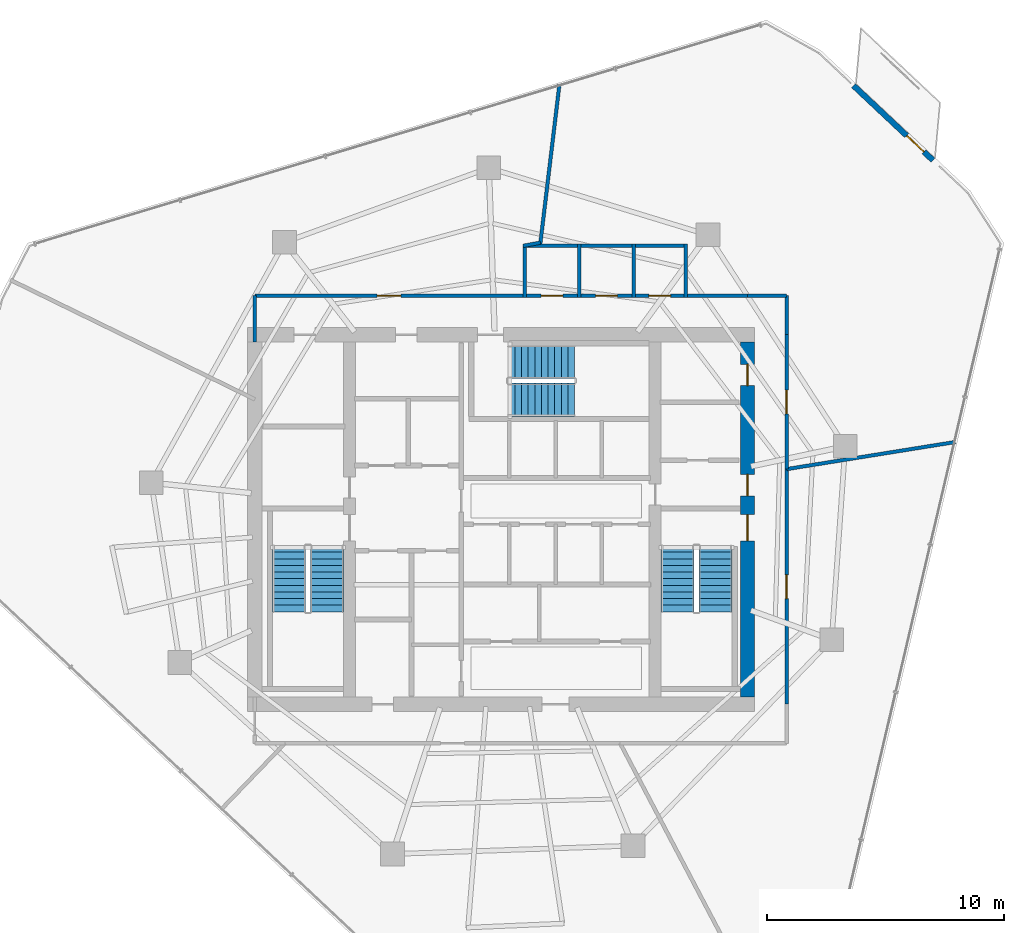
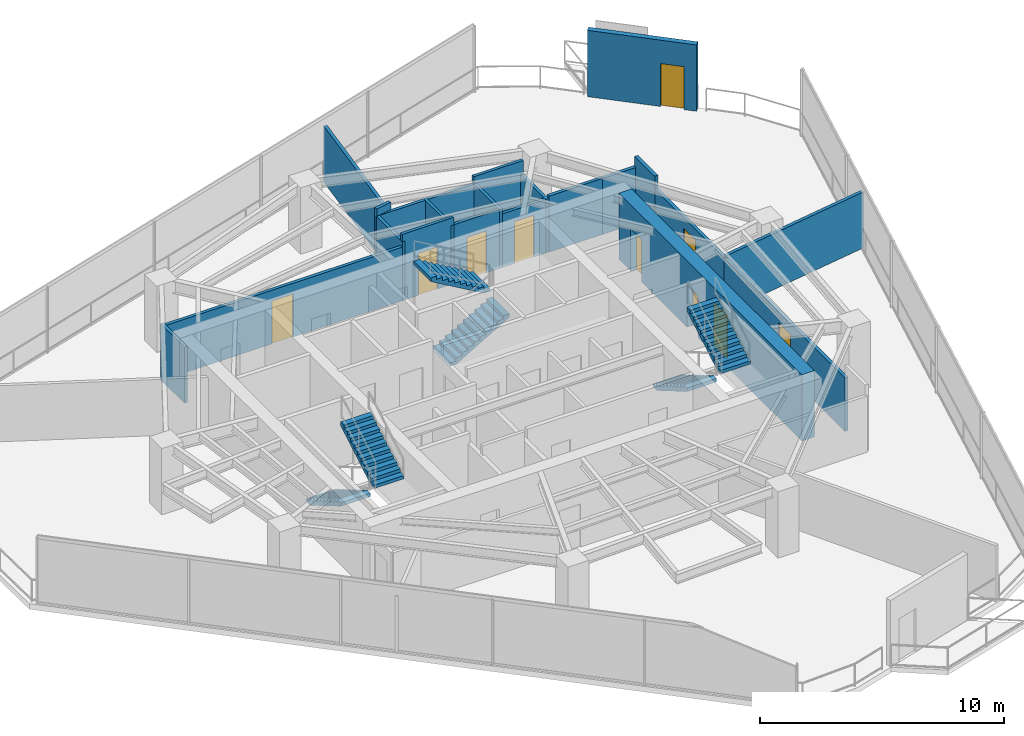
# One storey, part 17 of 19: 22 walls, 10 doors, 6 stair flights, 10 openings, 3 elements without a shape of their own.
"""IFC4 building model written with IfcOpenShell, lengths in metres."""

from ifc_helpers import new_model, si_unit, direction, frame, frame_2d, origin, place, context, subcontext, project, spatial, polyline, rectangle, outline, extrude, material, layer, layer_set, type_object, element, fill, aggregate, save


model = new_model("IFC4")

# Units and contexts
model_context = context("Model", 3, precision=1e-05, world=origin(), true_north=direction((0.0, 1.0)))
body_context = subcontext(model_context, "Body", "Model", "MODEL_VIEW")
ifc_project = project(units=[si_unit("LENGTHUNIT", "METRE"), si_unit("AREAUNIT", "SQUARE_METRE"), si_unit("VOLUMEUNIT", "CUBIC_METRE"), si_unit("PLANEANGLEUNIT", "RADIAN"), si_unit("MASSUNIT", "GRAM", prefix="KILO")], contexts=[model_context])

# Site, building, storey
site_placement = place(None, origin())
site = spatial("IfcSite", under=ifc_project, at=site_placement, CompositionType="ELEMENT")
building_placement = place(site_placement, origin())
building = spatial("IfcBuilding", under=site, at=building_placement, Name="Qarnah Convention Tower", CompositionType="ELEMENT")
storey_placement = place(building_placement, frame((0.0, 0.0, 129.300048828125)))
storey = spatial("IfcBuildingStorey", under=building, at=storey_placement, Name="L34", CompositionType="ELEMENT", Elevation=129.300048828125)

# Wall, openings, doors
ifc_material_1 = material(Name="Concrete C60/75", Category="concrete")
ifc_layer_1 = layer(ifc_material_1, 0.60009765625)
ifc_layer_set_1 = layer_set([ifc_layer_1], Name="Concrete C60/75")
wall_type_1 = type_object("IfcWallType", Name="WL-CORE-600", PredefinedType="SHEAR", material=ifc_layer_set_1)
wall_1_placement = place(storey_placement, frame((47.60009765625, 18.89990234375, 0.0), z_axis=(0.0, 0.0, 1.0), x_axis=(0.0, 1.0, 0.0)))
wall_1 = element("IfcWall", 1, at=wall_1_placement, inside=storey, type_object=wall_type_1, Name="L34 core east shear wall", PredefinedType="SHEAR", context=body_context, shape_type="SweptSolid", body=[
    extrude(rectangle(XDim=15.0, YDim=0.60009765625, at=frame_2d((7.5, 0.0))), origin(), (0.0, 0.0, 1.0), 3.320068359375),
])
opening_1_placement = place(wall_1_placement, frame((6.60009765625, 0.0, 0.0)))
opening_1 = element("IfcOpeningElement", 2, at=opening_1_placement, cuts=wall_1, Name="Opening D-3402", PredefinedType="OPENING", context=body_context, shape_type="SweptSolid", body=[
    extrude(rectangle(XDim=1.10009765625, YDim=2.14990234375, at=frame_2d((0.550048828125, 1.074951171875))), frame((0.0, 0.31005859375, 0.0), z_axis=(0.0, -1.0, 0.0), x_axis=(1.0, 0.0, 0.0)), (0.0, 0.0, 1.0), 0.6201171875),
])
opening_2_placement = place(wall_1_placement, frame((8.5, 0.0, 0.0)))
opening_2 = element("IfcOpeningElement", 3, at=opening_2_placement, cuts=wall_1, Name="Opening D-3406", PredefinedType="OPENING", context=body_context, shape_type="SweptSolid", body=[
    extrude(rectangle(XDim=0.89990234375, YDim=2.10009765625, at=frame_2d((0.449951171875, 1.050048828125))), frame((0.0, 0.31005859375, 0.0), z_axis=(0.0, -1.0, 0.0), x_axis=(1.0, 0.0, 0.0)), (0.0, 0.0, 1.0), 0.6201171875),
])
opening_3_placement = place(wall_1_placement, frame((13.14990234375, 0.0, 0.0)))
opening_3 = element("IfcOpeningElement", 4, at=opening_3_placement, cuts=wall_1, Name="Opening D-3412", PredefinedType="OPENING", context=body_context, shape_type="SweptSolid", body=[
    extrude(rectangle(XDim=0.89990234375, YDim=2.10009765625, at=frame_2d((0.449951171875, 1.050048828125))), frame((0.0, 0.31005859375, 0.0), z_axis=(0.0, -1.0, 0.0), x_axis=(1.0, 0.0, 0.0)), (0.0, 0.0, 1.0), 0.6201171875),
])
ifc_material_2 = material(Name="Structural steel S355JR", Category="steel")
door_type_1 = type_object("IfcDoorType", Name="DT-RISER-900", OperationType="NOTDEFINED", PredefinedType="DOOR", material=ifc_material_2)
door_1_placement = place(opening_2_placement, origin())
door_1 = element("IfcDoor", 5, at=door_1_placement, inside=storey, type_object=door_type_1, Name="Door D-3406", OperationType="SINGLE_SWING_LEFT", OverallHeight=2.10009765625, OverallWidth=0.89990234375, PredefinedType="DOOR", context=body_context, shape_type="SweptSolid", body=[
    extrude(rectangle(XDim=0.89990234375, YDim=2.10009765625, at=frame_2d((0.449951171875, 1.050048828125))), frame((0.0, 0.02490234375, 0.0), z_axis=(0.0, -1.0, 0.0), x_axis=(1.0, 0.0, 0.0)), (0.0, 0.0, 1.0), 0.050048828125),
])
fill(opening_2, door_1)
door_2_placement = place(opening_3_placement, origin())
door_2 = element("IfcDoor", 6, at=door_2_placement, inside=storey, type_object=door_type_1, Name="Door D-3412", OperationType="SINGLE_SWING_LEFT", OverallHeight=2.10009765625, OverallWidth=0.89990234375, PredefinedType="DOOR", context=body_context, shape_type="SweptSolid", body=[
    extrude(rectangle(XDim=0.89990234375, YDim=2.10009765625, at=frame_2d((0.449951171875, 1.050048828125))), frame((0.0, 0.02490234375, 0.0), z_axis=(0.0, -1.0, 0.0), x_axis=(1.0, 0.0, 0.0)), (0.0, 0.0, 1.0), 0.050048828125),
])
fill(opening_3, door_2)
door_type_2 = type_object("IfcDoorType", Name="DT-STAIR-1100", OperationType="NOTDEFINED", PredefinedType="DOOR", material=ifc_material_2)
door_3_placement = place(opening_1_placement, origin())
door_3 = element("IfcDoor", 7, at=door_3_placement, inside=storey, type_object=door_type_2, Name="Door D-3402", OperationType="SINGLE_SWING_LEFT", OverallHeight=2.14990234375, OverallWidth=1.10009765625, PredefinedType="DOOR", context=body_context, shape_type="SweptSolid", body=[
    extrude(rectangle(XDim=1.10009765625, YDim=2.14990234375, at=frame_2d((0.550048828125, 1.074951171875))), frame((0.0, 0.02490234375, 0.0), z_axis=(0.0, -1.0, 0.0), x_axis=(1.0, 0.0, 0.0)), (0.0, 0.0, 1.0), 0.050048828125),
])
fill(opening_1, door_3)

# Wall, opening, door
ifc_material_3 = material(Name="Precast concrete C45/55", Category="concrete")
ifc_layer_2 = layer(ifc_material_3, 0.239990234375)
ifc_layer_set_2 = layer_set([ifc_layer_2], Name="Precast concrete C45/55")
wall_type_2 = type_object("IfcWallType", Name="WL-EXT-BAL-240", PredefinedType="SOLIDWALL", material=ifc_layer_set_2)
wall_2_placement = place(storey_placement, frame((52.076904296875, 44.7109375, 0.0), z_axis=(0.0, 0.0, 1.0), x_axis=(0.728944378219, -0.68457292779, 0.0)))
wall_2 = element("IfcWall", 8, at=wall_2_placement, inside=storey, type_object=wall_type_2, Name="L34 loggia threshold wall BAL-L34-C1", PredefinedType="SOLIDWALL", context=body_context, shape_type="SweptSolid", body=[
    extrude(rectangle(XDim=4.599853515625, YDim=0.239990234375, at=frame_2d((2.2998046875, 0.0))), origin(), (0.0, 0.0, 1.0), 3.320068359375),
])
opening_4_placement = place(wall_2_placement, frame((3.080078125, 0.0, 0.0)))
opening_4 = element("IfcOpeningElement", 9, at=opening_4_placement, cuts=wall_2, Name="Opening BD-3401", PredefinedType="OPENING", context=body_context, shape_type="SweptSolid", body=[
    extrude(rectangle(XDim=1.0, YDim=2.14990234375, at=frame_2d((0.5, 1.074951171875))), frame((0.0, 0.1298828125, 0.0), z_axis=(0.0, -1.0, 0.0), x_axis=(1.0, 0.0, 0.0)), (0.0, 0.0, 1.0), 0.260009765625),
])
ifc_material_4 = material(Name="Black anodised aluminium", Category="aluminium")
door_type_3 = type_object("IfcDoorType", Name="DT-BAL-1000", OperationType="NOTDEFINED", PredefinedType="DOOR", material=ifc_material_4)
door_4_placement = place(opening_4_placement, origin())
door_4 = element("IfcDoor", 10, at=door_4_placement, inside=storey, type_object=door_type_3, Name="L34 balcony terrace door BAL-L34-C1", OperationType="SINGLE_SWING_LEFT", OverallHeight=2.14990234375, OverallWidth=1.0, PredefinedType="DOOR", context=body_context, shape_type="SweptSolid", body=[
    extrude(rectangle(XDim=1.0, YDim=2.14990234375, at=frame_2d((0.5, 1.074951171875))), frame((0.0, 0.02490234375, 0.0), z_axis=(0.0, -1.0, 0.0), x_axis=(1.0, 0.0, 0.0)), (0.0, 0.0, 1.0), 0.050048828125),
])
fill(opening_4, door_4)

# Walls
ifc_material_5 = material(Name="Gypsum partition board")
ifc_layer_3 = layer(ifc_material_5, 0.14990234375)
ifc_layer_set_3 = layer_set([ifc_layer_3], Name="Gypsum partition board")
wall_type_3 = type_object("IfcWallType", Name="WL-SUITE-150", PredefinedType="PARTITIONING", material=ifc_layer_set_3)
wall_3_placement = place(storey_placement, frame((39.6630859375, 44.77001953125, 0.0), z_axis=(0.0, 0.0, 1.0), x_axis=(-0.119383467709, -0.992848219839, 0.0)))
element("IfcWall", 11, at=wall_3_placement, inside=storey, type_object=wall_type_3, Name="L34 interior wall IW-L34-R-11", PredefinedType="PARTITIONING", context=body_context, shape_type="SweptSolid", body=[
    extrude(rectangle(XDim=6.869140625, YDim=0.14990234375, at=frame_2d((3.4345703125, 0.0))), origin(), (0.0, 0.0, 1.0), 2.804931640625),
])
wall_4_placement = place(storey_placement, frame((45.070068359375, 35.85009765625, 0.0), z_axis=(0.0, 0.0, 1.0), x_axis=(1.0, 0.0, 0.0)))
element("IfcWall", 12, at=wall_4_placement, inside=storey, type_object=wall_type_3, Name="L34 interior wall IW-L34-R-12", PredefinedType="PARTITIONING", context=body_context, shape_type="SweptSolid", body=[
    extrude(rectangle(XDim=2.530029296875, YDim=0.14990234375, at=frame_2d((1.26513671875, 0.0))), origin(), (0.0, 0.0, 1.0), 2.804931640625),
])
wall_5_placement = place(storey_placement, frame((47.60009765625, 35.85009765625, 0.0), z_axis=(0.0, 0.0, 1.0), x_axis=(1.0, 0.0, 0.0)))
element("IfcWall", 13, at=wall_5_placement, inside=storey, type_object=wall_type_3, Name="L34 interior wall IW-L34-R-13", PredefinedType="PARTITIONING", context=body_context, shape_type="SweptSolid", body=[
    extrude(rectangle(XDim=1.64990234375, YDim=0.14990234375, at=frame_2d((0.824951171875, 0.0))), origin(), (0.0, 0.0, 1.0), 2.804931640625),
])
wall_6_placement = place(storey_placement, frame((49.25, 35.85009765625, 0.0), z_axis=(0.0, 0.0, 1.0), x_axis=(0.0, -1.0, 0.0)))
element("IfcWall", 14, at=wall_6_placement, inside=storey, type_object=wall_type_3, Name="L34 interior wall IW-L34-R-14", PredefinedType="PARTITIONING", context=body_context, shape_type="SweptSolid", body=[
    extrude(rectangle(XDim=1.650146484375, YDim=0.14990234375, at=frame_2d((0.8251953125, 0.0))), origin(), (0.0, 0.0, 1.0), 3.320068359375),
])

# Wall, opening, door
wall_7_placement = place(storey_placement, frame((49.25, 34.199951171875, 0.0), z_axis=(0.0, 0.0, 1.0), x_axis=(0.0, -1.0, 0.0)))
wall_7 = element("IfcWall", 15, at=wall_7_placement, inside=storey, type_object=wall_type_3, Name="L34 interior wall IW-L34-R-15", PredefinedType="PARTITIONING", context=body_context, shape_type="SweptSolid", body=[
    extrude(rectangle(XDim=5.675048828125, YDim=0.14990234375, at=frame_2d((2.83740234375, 0.0))), origin(), (0.0, 0.0, 1.0), 2.68701171875),
])
opening_5_placement = place(wall_7_placement, frame((2.337890625, 0.0, 0.0)))
opening_5 = element("IfcOpeningElement", 16, at=opening_5_placement, cuts=wall_7, Name="Opening D-3421", PredefinedType="OPENING", context=body_context, shape_type="SweptSolid", body=[
    extrude(rectangle(XDim=1.0, YDim=2.14990234375, at=frame_2d((0.5, 1.074951171875))), frame((0.0, 0.0849609375, 0.0), z_axis=(0.0, -1.0, 0.0), x_axis=(1.0, 0.0, 0.0)), (0.0, 0.0, 1.0), 0.169921875),
])
ifc_material_6 = material(Name="Oak timber veneer", Category="wood")
door_type_4 = type_object("IfcDoorType", Name="DT-OFFICE-1000", OperationType="NOTDEFINED", PredefinedType="DOOR", material=ifc_material_6)
door_5_placement = place(opening_5_placement, origin())
door_5 = element("IfcDoor", 17, at=door_5_placement, inside=storey, type_object=door_type_4, Name="Door D-3421", OperationType="SINGLE_SWING_RIGHT", OverallHeight=2.14990234375, OverallWidth=1.0, PredefinedType="DOOR", context=body_context, shape_type="SweptSolid", body=[
    extrude(rectangle(XDim=1.0, YDim=2.14990234375, at=frame_2d((0.5, 1.074951171875))), frame((0.0, 0.02490234375, 0.0), z_axis=(0.0, -1.0, 0.0), x_axis=(1.0, 0.0, 0.0)), (0.0, 0.0, 1.0), 0.050048828125),
])
fill(opening_5, door_5)

# Walls
wall_8_placement = place(storey_placement, frame((49.25, 28.52490234375, 0.0), z_axis=(0.0, 0.0, 1.0), x_axis=(0.987338784073, 0.158625740235, 0.0)))
element("IfcWall", 18, at=wall_8_placement, inside=storey, type_object=wall_type_3, Name="L34 interior wall IW-L34-R-16", PredefinedType="PARTITIONING", context=body_context, shape_type="SweptSolid", body=[
    extrude(rectangle(XDim=7.224609375, YDim=0.14990234375, at=frame_2d((3.6123046875, 0.0))), origin(), (0.0, 0.0, 1.0), 2.804931640625),
])
wall_9_placement = place(storey_placement, frame((26.800048828125, 33.89990234375, 0.0), z_axis=(0.0, 0.0, 1.0), x_axis=(0.0, 1.0, 0.0)))
element("IfcWall", 19, at=wall_9_placement, inside=storey, type_object=wall_type_3, Name="L34 interior wall IW-L34-R-18", PredefinedType="PARTITIONING", context=body_context, shape_type="SweptSolid", body=[
    extrude(rectangle(XDim=1.9501953125, YDim=0.14990234375, at=frame_2d((0.97509765625, 0.0))), origin(), (0.0, 0.0, 1.0), 2.804931640625),
])

# Wall, opening, door
wall_10_placement = place(storey_placement, frame((26.800048828125, 35.85009765625, 0.0), z_axis=(0.0, 0.0, 1.0), x_axis=(1.0, 0.0, 0.0)))
wall_10 = element("IfcWall", 20, at=wall_10_placement, inside=storey, type_object=wall_type_3, Name="L34 interior wall IW-L34-R-19", PredefinedType="PARTITIONING", context=body_context, shape_type="SweptSolid", body=[
    extrude(rectangle(XDim=11.329833984375, YDim=0.14990234375, at=frame_2d((5.6650390625, 0.0))), origin(), (0.0, 0.0, 1.0), 2.68701171875),
])
opening_6_placement = place(wall_10_placement, frame((5.1650390625, 0.0, 0.0)))
opening_6 = element("IfcOpeningElement", 21, at=opening_6_placement, cuts=wall_10, Name="Opening D-3422", PredefinedType="OPENING", context=body_context, shape_type="SweptSolid", body=[
    extrude(rectangle(XDim=1.0, YDim=2.14990234375, at=frame_2d((0.5, 1.074951171875))), frame((0.0, 0.0849609375, 0.0), z_axis=(0.0, -1.0, 0.0), x_axis=(1.0, 0.0, 0.0)), (0.0, 0.0, 1.0), 0.169921875),
])
door_6_placement = place(opening_6_placement, origin())
door_6 = element("IfcDoor", 22, at=door_6_placement, inside=storey, type_object=door_type_4, Name="Door D-3422", OperationType="SINGLE_SWING_LEFT", OverallHeight=2.14990234375, OverallWidth=1.0, PredefinedType="DOOR", context=body_context, shape_type="SweptSolid", body=[
    extrude(rectangle(XDim=1.0, YDim=2.14990234375, at=frame_2d((0.5, 1.074951171875))), frame((0.0, 0.02490234375, 0.0), z_axis=(0.0, -1.0, 0.0), x_axis=(1.0, 0.0, 0.0)), (0.0, 0.0, 1.0), 0.050048828125),
])
fill(opening_6, door_6)

# Wall
wall_11_placement = place(storey_placement, frame((38.1298828125, 37.949951171875, 0.0), z_axis=(0.0, 0.0, 1.0), x_axis=(0.982622104364, 0.185617348367, 0.0)))
element("IfcWall", 23, at=wall_11_placement, inside=storey, type_object=wall_type_3, Name="L34 interior wall IW-L34-R-20", PredefinedType="PARTITIONING", context=body_context, shape_type="SweptSolid", body=[
    extrude(rectangle(XDim=0.7431640625, YDim=0.14990234375, at=frame_2d((0.37158203125, 0.0))), origin(), (0.0, 0.0, 1.0), 3.320068359375),
])

# Wall, opening, door
wall_12_placement = place(storey_placement, frame((49.25, 28.52490234375, 0.0), z_axis=(0.0, 0.0, 1.0), x_axis=(0.0, -1.0, 0.0)))
wall_12 = element("IfcWall", 24, at=wall_12_placement, inside=storey, type_object=wall_type_3, Name="L34 interior wall IW-L34-R-26", PredefinedType="PARTITIONING", context=body_context, shape_type="SweptSolid", body=[
    extrude(rectangle(XDim=9.9248046875, YDim=0.14990234375, at=frame_2d((4.96240234375, 0.0))), origin(), (0.0, 0.0, 1.0), 2.68701171875),
])
opening_7_placement = place(wall_12_placement, frame((4.4619140625, 0.0, 0.0)))
opening_7 = element("IfcOpeningElement", 25, at=opening_7_placement, cuts=wall_12, Name="Opening D-3425", PredefinedType="OPENING", context=body_context, shape_type="SweptSolid", body=[
    extrude(rectangle(XDim=1.0, YDim=2.14990234375, at=frame_2d((0.5, 1.074951171875))), frame((0.0, 0.0849609375, 0.0), z_axis=(0.0, -1.0, 0.0), x_axis=(1.0, 0.0, 0.0)), (0.0, 0.0, 1.0), 0.169921875),
])
door_7_placement = place(opening_7_placement, origin())
door_7 = element("IfcDoor", 26, at=door_7_placement, inside=storey, type_object=door_type_4, Name="Door D-3425", OperationType="SINGLE_SWING_RIGHT", OverallHeight=2.14990234375, OverallWidth=1.0, PredefinedType="DOOR", context=body_context, shape_type="SweptSolid", body=[
    extrude(rectangle(XDim=1.0, YDim=2.14990234375, at=frame_2d((0.5, 1.074951171875))), frame((0.0, 0.02490234375, 0.0), z_axis=(0.0, -1.0, 0.0), x_axis=(1.0, 0.0, 0.0)), (0.0, 0.0, 1.0), 0.050048828125),
])
fill(opening_7, door_7)

ifc_layer_4 = layer(ifc_material_5, 0.139892578125)
ifc_layer_set_4 = layer_set([ifc_layer_4], Name="Gypsum partition board")
wall_type_4 = type_object("IfcWallType", Name="WL-WET-140", PredefinedType="PARTITIONING", material=ifc_layer_set_4)
wall_13_placement = place(storey_placement, frame((38.1298828125, 35.85009765625, 0.0), z_axis=(0.0, 0.0, 1.0), x_axis=(1.0, 0.0, 0.0)))
wall_13 = element("IfcWall", 27, at=wall_13_placement, inside=storey, type_object=wall_type_4, Name="L34 interior wall IW-L34-WCM-1", PredefinedType="PARTITIONING", context=body_context, shape_type="SweptSolid", body=[
    extrude(rectangle(XDim=2.440185546875, YDim=0.139892578125, at=frame_2d((1.22021484375, 0.0))), origin(), (0.0, 0.0, 1.0), 3.320068359375),
])
opening_8_placement = place(wall_13_placement, frame((0.760009765625, 0.0, 0.0)))
opening_8 = element("IfcOpeningElement", 28, at=opening_8_placement, cuts=wall_13, Name="Opening D-3418", PredefinedType="OPENING", context=body_context, shape_type="SweptSolid", body=[
    extrude(rectangle(XDim=0.919921875, YDim=2.10009765625, at=frame_2d((0.4599609375, 1.050048828125))), frame((0.0, 0.079833984375, 0.0), z_axis=(0.0, -1.0, 0.0), x_axis=(1.0, 0.0, 0.0)), (0.0, 0.0, 1.0), 0.159912109375),
])
door_type_5 = type_object("IfcDoorType", Name="DT-WC-920", OperationType="NOTDEFINED", PredefinedType="DOOR", material=ifc_material_6)
door_8_placement = place(opening_8_placement, origin())
door_8 = element("IfcDoor", 29, at=door_8_placement, inside=storey, type_object=door_type_5, Name="Door D-3418", OperationType="SINGLE_SWING_LEFT", OverallHeight=2.10009765625, OverallWidth=0.919921875, PredefinedType="DOOR", context=body_context, shape_type="SweptSolid", body=[
    extrude(rectangle(XDim=0.919921875, YDim=2.10009765625, at=frame_2d((0.4599609375, 1.050048828125))), frame((0.0, 0.02490234375, 0.0), z_axis=(0.0, -1.0, 0.0), x_axis=(1.0, 0.0, 0.0)), (0.0, 0.0, 1.0), 0.050048828125),
])
fill(opening_8, door_8)

# Walls
wall_14_placement = place(storey_placement, frame((40.5, 35.780029296875, 0.0), z_axis=(0.0, 0.0, 1.0), x_axis=(0.0, 1.0, 0.0)))
element("IfcWall", 30, at=wall_14_placement, inside=storey, type_object=wall_type_4, Name="L34 interior wall IW-L34-WCM-2", PredefinedType="PARTITIONING", context=body_context, shape_type="SweptSolid", body=[
    extrude(rectangle(XDim=2.239990234375, YDim=0.139892578125, at=frame_2d((1.1201171875, 0.0))), origin(), (0.0, 0.0, 1.0), 2.948974609375),
])
wall_15_placement = place(storey_placement, frame((40.570068359375, 37.949951171875, 0.0), z_axis=(0.0, 0.0, 1.0), x_axis=(-1.0, 0.0, 0.0)))
element("IfcWall", 31, at=wall_15_placement, inside=storey, type_object=wall_type_4, Name="L34 interior wall IW-L34-WCM-3", PredefinedType="PARTITIONING", context=body_context, shape_type="SweptSolid", body=[
    extrude(rectangle(XDim=2.440185546875, YDim=0.139892578125, at=frame_2d((1.22021484375, 0.0))), origin(), (0.0, 0.0, 1.0), 2.948974609375),
])
wall_16_placement = place(storey_placement, frame((38.199951171875, 38.02001953125, 0.0), z_axis=(0.0, 0.0, 1.0), x_axis=(0.0, -1.0, 0.0)))
element("IfcWall", 32, at=wall_16_placement, inside=storey, type_object=wall_type_4, Name="L34 interior wall IW-L34-WCM-4", PredefinedType="PARTITIONING", context=body_context, shape_type="SweptSolid", body=[
    extrude(rectangle(XDim=2.239990234375, YDim=0.139892578125, at=frame_2d((1.1201171875, 0.0))), origin(), (0.0, 0.0, 1.0), 2.948974609375),
])

# Wall, opening, door
wall_17_placement = place(storey_placement, frame((40.429931640625, 35.85009765625, 0.0), z_axis=(0.0, 0.0, 1.0), x_axis=(1.0, 0.0, 0.0)))
wall_17 = element("IfcWall", 33, at=wall_17_placement, inside=storey, type_object=wall_type_4, Name="L34 interior wall IW-L34-WCF-1", PredefinedType="PARTITIONING", context=body_context, shape_type="SweptSolid", body=[
    extrude(rectangle(XDim=2.440185546875, YDim=0.139892578125, at=frame_2d((1.22021484375, 0.0))), origin(), (0.0, 0.0, 1.0), 2.948974609375),
])
opening_9_placement = place(wall_17_placement, frame((0.760009765625, 0.0, 0.0)))
opening_9 = element("IfcOpeningElement", 34, at=opening_9_placement, cuts=wall_17, Name="Opening D-3419", PredefinedType="OPENING", context=body_context, shape_type="SweptSolid", body=[
    extrude(rectangle(XDim=0.919921875, YDim=2.10009765625, at=frame_2d((0.4599609375, 1.050048828125))), frame((0.0, 0.079833984375, 0.0), z_axis=(0.0, -1.0, 0.0), x_axis=(1.0, 0.0, 0.0)), (0.0, 0.0, 1.0), 0.159912109375),
])
door_9_placement = place(opening_9_placement, origin())
door_9 = element("IfcDoor", 35, at=door_9_placement, inside=storey, type_object=door_type_5, Name="Door D-3419", OperationType="SINGLE_SWING_RIGHT", OverallHeight=2.10009765625, OverallWidth=0.919921875, PredefinedType="DOOR", context=body_context, shape_type="SweptSolid", body=[
    extrude(rectangle(XDim=0.919921875, YDim=2.10009765625, at=frame_2d((0.4599609375, 1.050048828125))), frame((0.0, 0.02490234375, 0.0), z_axis=(0.0, -1.0, 0.0), x_axis=(1.0, 0.0, 0.0)), (0.0, 0.0, 1.0), 0.050048828125),
])
fill(opening_9, door_9)

# Walls
wall_18_placement = place(storey_placement, frame((42.800048828125, 35.780029296875, 0.0), z_axis=(0.0, 0.0, 1.0), x_axis=(0.0, 1.0, 0.0)))
element("IfcWall", 36, at=wall_18_placement, inside=storey, type_object=wall_type_4, Name="L34 interior wall IW-L34-WCF-2", PredefinedType="PARTITIONING", context=body_context, shape_type="SweptSolid", body=[
    extrude(rectangle(XDim=2.239990234375, YDim=0.139892578125, at=frame_2d((1.1201171875, 0.0))), origin(), (0.0, 0.0, 1.0), 2.948974609375),
])
wall_19_placement = place(storey_placement, frame((42.8701171875, 37.949951171875, 0.0), z_axis=(0.0, 0.0, 1.0), x_axis=(-1.0, 0.0, 0.0)))
element("IfcWall", 37, at=wall_19_placement, inside=storey, type_object=wall_type_4, Name="L34 interior wall IW-L34-WCF-3", PredefinedType="PARTITIONING", context=body_context, shape_type="SweptSolid", body=[
    extrude(rectangle(XDim=2.440185546875, YDim=0.139892578125, at=frame_2d((1.22021484375, 0.0))), origin(), (0.0, 0.0, 1.0), 2.948974609375),
])

# Wall, opening, door
wall_20_placement = place(storey_placement, frame((42.72998046875, 35.85009765625, 0.0), z_axis=(0.0, 0.0, 1.0), x_axis=(1.0, 0.0, 0.0)))
wall_20 = element("IfcWall", 38, at=wall_20_placement, inside=storey, type_object=wall_type_4, Name="L34 interior wall IW-L34-WCA-1", PredefinedType="PARTITIONING", context=body_context, shape_type="SweptSolid", body=[
    extrude(rectangle(XDim=2.340087890625, YDim=0.139892578125, at=frame_2d((1.169921875, 0.0))), origin(), (0.0, 0.0, 1.0), 2.68701171875),
])
opening_10_placement = place(wall_20_placement, frame((0.7099609375, 0.0, 0.0)))
opening_10 = element("IfcOpeningElement", 39, at=opening_10_placement, cuts=wall_20, Name="Opening D-3420", PredefinedType="OPENING", context=body_context, shape_type="SweptSolid", body=[
    extrude(rectangle(XDim=0.919921875, YDim=2.10009765625, at=frame_2d((0.4599609375, 1.050048828125))), frame((0.0, 0.079833984375, 0.0), z_axis=(0.0, -1.0, 0.0), x_axis=(1.0, 0.0, 0.0)), (0.0, 0.0, 1.0), 0.159912109375),
])
door_10_placement = place(opening_10_placement, origin())
door_10 = element("IfcDoor", 40, at=door_10_placement, inside=storey, type_object=door_type_5, Name="Door D-3420", OperationType="SINGLE_SWING_LEFT", OverallHeight=2.10009765625, OverallWidth=0.919921875, PredefinedType="DOOR", context=body_context, shape_type="SweptSolid", body=[
    extrude(rectangle(XDim=0.919921875, YDim=2.10009765625, at=frame_2d((0.4599609375, 1.050048828125))), frame((0.0, 0.02490234375, 0.0), z_axis=(0.0, -1.0, 0.0), x_axis=(1.0, 0.0, 0.0)), (0.0, 0.0, 1.0), 0.050048828125),
])
fill(opening_10, door_10)

# Walls
wall_21_placement = place(storey_placement, frame((45.0, 35.780029296875, 0.0), z_axis=(0.0, 0.0, 1.0), x_axis=(0.0, 1.0, 0.0)))
element("IfcWall", 41, at=wall_21_placement, inside=storey, type_object=wall_type_4, Name="L34 interior wall IW-L34-WCA-2", PredefinedType="PARTITIONING", context=body_context, shape_type="SweptSolid", body=[
    extrude(rectangle(XDim=2.239990234375, YDim=0.139892578125, at=frame_2d((1.1201171875, 0.0))), origin(), (0.0, 0.0, 1.0), 2.68701171875),
])
wall_22_placement = place(storey_placement, frame((45.070068359375, 37.949951171875, 0.0), z_axis=(0.0, 0.0, 1.0), x_axis=(-1.0, 0.0, 0.0)))
element("IfcWall", 42, at=wall_22_placement, inside=storey, type_object=wall_type_4, Name="L34 interior wall IW-L34-WCA-3", PredefinedType="PARTITIONING", context=body_context, shape_type="SweptSolid", body=[
    extrude(rectangle(XDim=2.340087890625, YDim=0.139892578125, at=frame_2d((1.169921875, 0.0))), origin(), (0.0, 0.0, 1.0), 3.320068359375),
])

# Stair, stair flights
ifc_material_7 = material(Name="Concrete C50/60", Category="concrete")
stair_type = type_object("IfcStairType", Name="STR-OFF", PredefinedType="HALF_TURN_STAIR", material=ifc_material_7)
stair_1_placement = place(storey_placement, origin())
stair_1 = element("IfcStair", 43, at=stair_1_placement, inside=storey, type_object=stair_type, Name="L34 Core exit stair ST-1", PredefinedType="HALF_TURN_STAIR")
stair_flight_type = type_object("IfcStairFlightType", Name="FLT-OFF", PredefinedType="STRAIGHT", material=ifc_material_7)
stair_flight_1_placement = place(storey_placement, frame((28.25, 25.300048828125, 0.0), z_axis=(0.0, 0.0, 1.0), x_axis=(0.0, -1.0, 0.0)))
stair_flight_1 = element("IfcStairFlight", 44, at=stair_flight_1_placement, type_object=stair_flight_type, Name="ST-1 flight 1", NumberOfRisers=11, NumberOfTreads=10, PredefinedType="STRAIGHT", RiserHeight=0.163636364, TreadLength=0.28, context=body_context, shape_type="SweptSolid", body=[
    extrude(outline(polyline([(0.0, 0.0), (0.0, 0.16357421875), (0.280029296875, 0.16357421875), (0.280029296875, 0.327392578125), (0.56005859375, 0.327392578125), (0.56005859375, 0.490966796875), (0.840087890625, 0.490966796875), (0.840087890625, 0.654541015625), (1.1201171875, 0.654541015625), (1.1201171875, 0.818115234375), (1.39990234375, 0.818115234375), (1.39990234375, 0.98193359375), (1.679931640625, 0.98193359375), (1.679931640625, 1.1455078125), (1.9599609375, 1.1455078125), (1.9599609375, 1.30908203125), (2.239990234375, 1.30908203125), (2.239990234375, 1.47265625), (2.52001953125, 1.47265625), (2.52001953125, 1.636474609375), (2.800048828125, 1.636474609375), (2.800048828125, 1.800048828125), (2.800048828125, 1.462646484375), (0.297119140625, 0.0), (0.0, 0.0)])), frame((0.0, 0.699951171875, 0.0), z_axis=(0.0, -1.0, 0.0), x_axis=(1.0, 0.0, 0.0)), (0.0, 0.0, 1.0), 1.39990234375),
])
stair_flight_2_placement = place(storey_placement, frame((29.85009765625, 22.5, 1.800048828125), z_axis=(0.0, 0.0, 1.0), x_axis=(0.0, 1.0, 0.0)))
stair_flight_2 = element("IfcStairFlight", 45, at=stair_flight_2_placement, type_object=stair_flight_type, Name="ST-1 flight 2", NumberOfRisers=11, NumberOfTreads=10, PredefinedType="STRAIGHT", RiserHeight=0.163636364, TreadLength=0.28, context=body_context, shape_type="SweptSolid", body=[
    extrude(outline(polyline([(0.0, 0.0), (0.0, 0.16357421875), (0.280029296875, 0.16357421875), (0.280029296875, 0.327392578125), (0.56005859375, 0.327392578125), (0.56005859375, 0.490966796875), (0.840087890625, 0.490966796875), (0.840087890625, 0.654541015625), (1.1201171875, 0.654541015625), (1.1201171875, 0.818115234375), (1.39990234375, 0.818115234375), (1.39990234375, 0.98193359375), (1.679931640625, 0.98193359375), (1.679931640625, 1.1455078125), (1.9599609375, 1.1455078125), (1.9599609375, 1.30908203125), (2.239990234375, 1.30908203125), (2.239990234375, 1.47265625), (2.52001953125, 1.47265625), (2.52001953125, 1.636474609375), (2.800048828125, 1.636474609375), (2.800048828125, 1.800048828125), (2.800048828125, 1.462646484375), (0.297119140625, 0.0), (0.0, 0.0)])), frame((0.0, 0.699951171875, 0.0), z_axis=(0.0, -1.0, 0.0), x_axis=(1.0, 0.0, 0.0)), (0.0, 0.0, 1.0), 1.39990234375),
])
aggregate(stair_1, [stair_flight_1, stair_flight_2])

stair_2_placement = place(storey_placement, origin())
stair_2 = element("IfcStair", 46, at=stair_2_placement, inside=storey, type_object=stair_type, Name="L34 Core exit stair ST-2", PredefinedType="HALF_TURN_STAIR")
stair_flight_3_placement = place(storey_placement, frame((44.64990234375, 25.300048828125, 0.0), z_axis=(0.0, 0.0, 1.0), x_axis=(0.0, -1.0, 0.0)))
stair_flight_3 = element("IfcStairFlight", 47, at=stair_flight_3_placement, type_object=stair_flight_type, Name="ST-2 flight 1", NumberOfRisers=11, NumberOfTreads=10, PredefinedType="STRAIGHT", RiserHeight=0.163636364, TreadLength=0.28, context=body_context, shape_type="SweptSolid", body=[
    extrude(outline(polyline([(0.0, 0.0), (0.0, 0.16357421875), (0.280029296875, 0.16357421875), (0.280029296875, 0.327392578125), (0.56005859375, 0.327392578125), (0.56005859375, 0.490966796875), (0.840087890625, 0.490966796875), (0.840087890625, 0.654541015625), (1.1201171875, 0.654541015625), (1.1201171875, 0.818115234375), (1.39990234375, 0.818115234375), (1.39990234375, 0.98193359375), (1.679931640625, 0.98193359375), (1.679931640625, 1.1455078125), (1.9599609375, 1.1455078125), (1.9599609375, 1.30908203125), (2.239990234375, 1.30908203125), (2.239990234375, 1.47265625), (2.52001953125, 1.47265625), (2.52001953125, 1.636474609375), (2.800048828125, 1.636474609375), (2.800048828125, 1.800048828125), (2.800048828125, 1.462646484375), (0.297119140625, 0.0), (0.0, 0.0)])), frame((0.0, 0.699951171875, 0.0), z_axis=(0.0, -1.0, 0.0), x_axis=(1.0, 0.0, 0.0)), (0.0, 0.0, 1.0), 1.39990234375),
])
stair_flight_4_placement = place(storey_placement, frame((46.25, 22.5, 1.800048828125), z_axis=(0.0, 0.0, 1.0), x_axis=(0.0, 1.0, 0.0)))
stair_flight_4 = element("IfcStairFlight", 48, at=stair_flight_4_placement, type_object=stair_flight_type, Name="ST-2 flight 2", NumberOfRisers=11, NumberOfTreads=10, PredefinedType="STRAIGHT", RiserHeight=0.163636364, TreadLength=0.28, context=body_context, shape_type="SweptSolid", body=[
    extrude(outline(polyline([(0.0, 0.0), (0.0, 0.16357421875), (0.280029296875, 0.16357421875), (0.280029296875, 0.327392578125), (0.56005859375, 0.327392578125), (0.56005859375, 0.490966796875), (0.840087890625, 0.490966796875), (0.840087890625, 0.654541015625), (1.1201171875, 0.654541015625), (1.1201171875, 0.818115234375), (1.39990234375, 0.818115234375), (1.39990234375, 0.98193359375), (1.679931640625, 0.98193359375), (1.679931640625, 1.1455078125), (1.9599609375, 1.1455078125), (1.9599609375, 1.30908203125), (2.239990234375, 1.30908203125), (2.239990234375, 1.47265625), (2.52001953125, 1.47265625), (2.52001953125, 1.636474609375), (2.800048828125, 1.636474609375), (2.800048828125, 1.800048828125), (2.800048828125, 1.462646484375), (0.297119140625, 0.0), (0.0, 0.0)])), frame((0.0, 0.699951171875, 0.0), z_axis=(0.0, -1.0, 0.0), x_axis=(1.0, 0.0, 0.0)), (0.0, 0.0, 1.0), 1.39990234375),
])
aggregate(stair_2, [stair_flight_3, stair_flight_4])

stair_3_placement = place(storey_placement, origin())
stair_3 = element("IfcStair", 49, at=stair_3_placement, inside=storey, type_object=stair_type, Name="L34 Core exit stair ST-3", PredefinedType="HALF_TURN_STAIR")
stair_flight_5_placement = place(storey_placement, frame((37.5, 31.449951171875, 0.0), z_axis=(0.0, 0.0, 1.0), x_axis=(1.0, 0.0, 0.0)))
stair_flight_5 = element("IfcStairFlight", 50, at=stair_flight_5_placement, type_object=stair_flight_type, Name="ST-3 flight 1", NumberOfRisers=11, NumberOfTreads=10, PredefinedType="STRAIGHT", RiserHeight=0.163636364, TreadLength=0.28, context=body_context, shape_type="SweptSolid", body=[
    extrude(outline(polyline([(0.0, 0.0), (0.0, 0.16357421875), (0.280029296875, 0.16357421875), (0.280029296875, 0.327392578125), (0.56005859375, 0.327392578125), (0.56005859375, 0.490966796875), (0.840087890625, 0.490966796875), (0.840087890625, 0.654541015625), (1.1201171875, 0.654541015625), (1.1201171875, 0.818115234375), (1.39990234375, 0.818115234375), (1.39990234375, 0.98193359375), (1.679931640625, 0.98193359375), (1.679931640625, 1.1455078125), (1.9599609375, 1.1455078125), (1.9599609375, 1.30908203125), (2.239990234375, 1.30908203125), (2.239990234375, 1.47265625), (2.52001953125, 1.47265625), (2.52001953125, 1.636474609375), (2.800048828125, 1.636474609375), (2.800048828125, 1.800048828125), (2.800048828125, 1.462646484375), (0.297119140625, 0.0), (0.0, 0.0)])), frame((0.0, 0.699951171875, 0.0), z_axis=(0.0, -1.0, 0.0), x_axis=(1.0, 0.0, 0.0)), (0.0, 0.0, 1.0), 1.39990234375),
])
stair_flight_6_placement = place(storey_placement, frame((40.300048828125, 33.050048828125, 1.800048828125), z_axis=(0.0, 0.0, 1.0), x_axis=(-1.0, 0.0, 0.0)))
stair_flight_6 = element("IfcStairFlight", 51, at=stair_flight_6_placement, type_object=stair_flight_type, Name="ST-3 flight 2", NumberOfRisers=11, NumberOfTreads=10, PredefinedType="STRAIGHT", RiserHeight=0.163636364, TreadLength=0.28, context=body_context, shape_type="SweptSolid", body=[
    extrude(outline(polyline([(0.0, 0.0), (0.0, 0.16357421875), (0.280029296875, 0.16357421875), (0.280029296875, 0.327392578125), (0.56005859375, 0.327392578125), (0.56005859375, 0.490966796875), (0.840087890625, 0.490966796875), (0.840087890625, 0.654541015625), (1.1201171875, 0.654541015625), (1.1201171875, 0.818115234375), (1.39990234375, 0.818115234375), (1.39990234375, 0.98193359375), (1.679931640625, 0.98193359375), (1.679931640625, 1.1455078125), (1.9599609375, 1.1455078125), (1.9599609375, 1.30908203125), (2.239990234375, 1.30908203125), (2.239990234375, 1.47265625), (2.52001953125, 1.47265625), (2.52001953125, 1.636474609375), (2.800048828125, 1.636474609375), (2.800048828125, 1.800048828125), (2.800048828125, 1.462646484375), (0.297119140625, 0.0), (0.0, 0.0)])), frame((0.0, 0.699951171875, 0.0), z_axis=(0.0, -1.0, 0.0), x_axis=(1.0, 0.0, 0.0)), (0.0, 0.0, 1.0), 1.39990234375),
])
aggregate(stair_3, [stair_flight_5, stair_flight_6])

save(model, "model.ifc")
